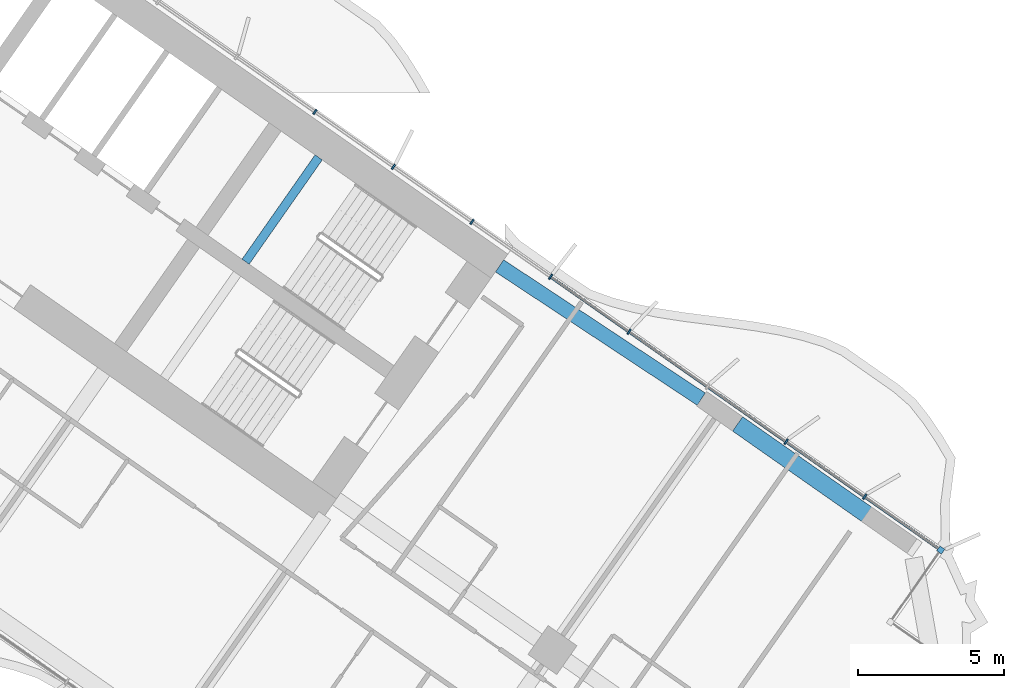
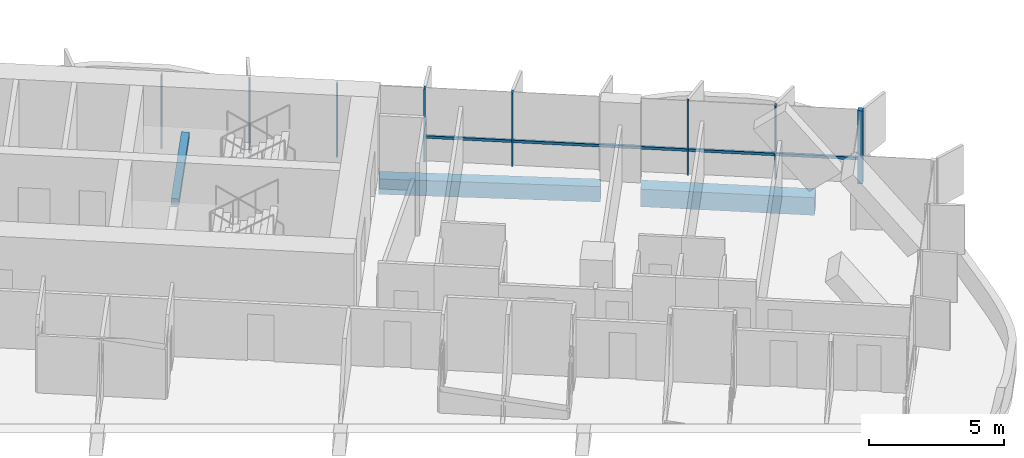
# One storey, part 10 of 24: 9 members, 3 beams, 2 elements without a shape of their own.
"""IFC4 building model written with IfcOpenShell, lengths in metres."""

from ifc_helpers import new_model, si_unit, direction, frame, origin, origin_2d, place, context, subcontext, project, spatial, rectangle, extrude, material, material_profile, profile_set, type_object, element, aggregate, save


model = new_model("IFC4")

# Units and contexts
model_context = context("Model", 3, precision=1e-05, world=origin(), true_north=direction((0.0, 1.0)))
body_context = subcontext(model_context, "Body", "Model", "MODEL_VIEW")
ifc_project = project(units=[si_unit("LENGTHUNIT", "METRE"), si_unit("AREAUNIT", "SQUARE_METRE"), si_unit("VOLUMEUNIT", "CUBIC_METRE"), si_unit("PLANEANGLEUNIT", "RADIAN"), si_unit("MASSUNIT", "GRAM", prefix="KILO")], contexts=[model_context])

# Site, building, storey
site_placement = place(None, origin())
site = spatial("IfcSite", under=ifc_project, at=site_placement, CompositionType="ELEMENT")
building_placement = place(site_placement, origin())
building = spatial("IfcBuilding", under=site, at=building_placement, Name="Tel Ilan Convention Tower", CompositionType="ELEMENT")
storey_placement = place(building_placement, frame((0.0, 0.0, 72.5)))
storey = spatial("IfcBuildingStorey", under=building, at=storey_placement, Name="L13", CompositionType="ELEMENT", Elevation=72.5)

# Beams
ifc_material_1 = material(Name="Concrete C40/50", Category="concrete")
ifc_material_profile_1 = material_profile(ifc_material_1, rectangle(XDim=0.5, YDim=0.699951171875, at=origin_2d()), Name="RC 500x700")
ifc_profile_set_1 = profile_set([ifc_material_profile_1], Name="Concrete C40/50")
beam_type_1 = type_object("IfcBeamType", Name="Beam RC 500x700 Concrete C40/50", PredefinedType="BEAM", material=ifc_profile_set_1)
beam_1_placement = place(storey_placement, frame((34.570556640625, -12.08447265625, -0.6298828125), z_axis=(-0.834273603487, 0.551350663847, 0.0), x_axis=(-0.551350663847, -0.834273603487, 0.0)))
element("IfcBeam", 1, at=beam_1_placement, inside=storey, type_object=beam_type_1, Name="L13 beam E-E-B4-core", PredefinedType="BEAM", context=body_context, shape_type="SweptSolid", body=[
    extrude(rectangle(XDim=0.5, YDim=0.699951171875, at=origin_2d()), origin(), (0.0, 0.0, 1.0), 8.2529296875),
])
ifc_material_2 = material(Name="Concrete C40/50", Category="concrete")
ifc_material_profile_2 = material_profile(ifc_material_2, rectangle(XDim=0.60009765625, YDim=0.800048828125, at=origin_2d()), Name="RC 600x800")
ifc_profile_set_2 = profile_set([ifc_material_profile_2], Name="Concrete C40/50")
beam_type_2 = type_object("IfcBeamType", Name="Beam RC 600x800 Concrete C40/50", PredefinedType="BEAM", material=ifc_profile_set_2)
beam_2_placement = place(storey_placement, frame((41.135498046875, -16.656494140625, -0.679931640625), z_axis=(-0.819178980414, 0.573537965655, 0.0), x_axis=(-0.573537965655, -0.819178980414, 0.0)))
element("IfcBeam", 2, at=beam_2_placement, inside=storey, type_object=beam_type_2, Name="L13 beam E-E-BC-E-B4", PredefinedType="BEAM", context=body_context, shape_type="SweptSolid", body=[
    extrude(rectangle(XDim=0.60009765625, YDim=0.800048828125, at=origin_2d()), origin(), (0.0, 0.0, 1.0), 6.5),
])

# Curtain wall, member
ifc_material_3 = material(Name="Aluminium, bronze anodised", Category="aluminium")
curtain_wall_type_1 = type_object("IfcCurtainWallType", Name="CW1 UNITISED CURTAIN WALL, HOTEL TINTED GLASS", PredefinedType="NOTDEFINED", material=ifc_material_3)
curtain_wall_1_placement = place(storey_placement, origin())
curtain_wall_1 = element("IfcCurtainWall", 3, at=curtain_wall_1_placement, inside=storey, type_object=curtain_wall_type_1, Name="Curtain wall CW1-13.02", PredefinedType="NOTDEFINED")
ifc_material_4 = material(Name="Aluminium, bronze anodised", Category="aluminium")
ifc_material_profile_3 = material_profile(ifc_material_4, rectangle(XDim=0.199951171875, YDim=0.199951171875, at=origin_2d()), Name="CW CORNER MULLION 200x200")
ifc_profile_set_3 = profile_set([ifc_material_profile_3], Name="Aluminium, bronze anodised")
member_type_1 = type_object("IfcMemberType", Name="CW CORNER MULLION 200x200", PredefinedType="MULLION", material=ifc_profile_set_3)
member_1_placement = place(storey_placement, frame((42.7451171875, -17.234375, 0.0), z_axis=(0.0, 0.0, 1.0), x_axis=(0.573576436351, 0.819152044289, 0.0)))
member_1 = element("IfcMember", 4, at=member_1_placement, type_object=member_type_1, Name="Corner mullion", PredefinedType="MULLION", context=body_context, shape_type="SweptSolid", body=[
    extrude(rectangle(XDim=0.199951171875, YDim=0.199951171875, at=origin_2d()), origin(), (0.0, 0.0, 1.0), 3.320068359375),
])

# Curtain wall, members
ifc_material_5 = material(Name="Aluminium, bronze anodised", Category="aluminium")
curtain_wall_type_2 = type_object("IfcCurtainWallType", Name="CW2 STICK CURTAIN WALL, SPANDREL PANELS", PredefinedType="NOTDEFINED", material=ifc_material_5)
curtain_wall_2_placement = place(storey_placement, origin())
curtain_wall_2 = element("IfcCurtainWall", 5, at=curtain_wall_2_placement, inside=storey, type_object=curtain_wall_type_2, Name="Curtain wall CW2-13.01", PredefinedType="NOTDEFINED")
ifc_material_6 = material(Name="Aluminium, bronze anodised", Category="aluminium")
ifc_material_profile_4 = material_profile(ifc_material_6, rectangle(XDim=0.06005859375, YDim=0.199951171875, at=origin_2d()), Name="CW MULLION 60x200")
ifc_profile_set_4 = profile_set([ifc_material_profile_4], Name="Aluminium, bronze anodised")
member_type_2 = type_object("IfcMemberType", Name="CW MULLION 60x200", PredefinedType="MULLION", material=ifc_profile_set_4)
member_2_placement = place(storey_placement, frame((29.42578125, -7.907958984375, 0.0), z_axis=(0.0, 0.0, 1.0), x_axis=(-0.819152044289, 0.573576436351, 0.0)))
member_2 = element("IfcMember", 6, at=member_2_placement, type_object=member_type_2, Name="Mullion", PredefinedType="MULLION", context=body_context, shape_type="SweptSolid", body=[
    extrude(rectangle(XDim=0.06005859375, YDim=0.199951171875, at=origin_2d()), origin(), (0.0, 0.0, 1.0), 3.320068359375),
])
member_3_placement = place(storey_placement, frame((26.745361328125, -6.03125, 0.0), z_axis=(0.0, 0.0, 1.0), x_axis=(-0.819152044289, 0.573576436351, 0.0)))
member_3 = element("IfcMember", 7, at=member_3_placement, type_object=member_type_2, Name="Mullion", PredefinedType="MULLION", context=body_context, shape_type="SweptSolid", body=[
    extrude(rectangle(XDim=0.06005859375, YDim=0.199951171875, at=origin_2d()), origin(), (0.0, 0.0, 1.0), 3.320068359375),
])
member_4_placement = place(storey_placement, frame((24.065185546875, -4.154541015625, 0.0), z_axis=(0.0, 0.0, 1.0), x_axis=(-0.819152044289, 0.573576436351, 0.0)))
member_4 = element("IfcMember", 8, at=member_4_placement, type_object=member_type_2, Name="Mullion", PredefinedType="MULLION", context=body_context, shape_type="SweptSolid", body=[
    extrude(rectangle(XDim=0.06005859375, YDim=0.199951171875, at=origin_2d()), origin(), (0.0, 0.0, 1.0), 3.320068359375),
])
member_5_placement = place(storey_placement, frame((21.384765625, -2.27783203125, 0.0), z_axis=(0.0, 0.0, 1.0), x_axis=(-0.819152044289, 0.573576436351, 0.0)))
member_5 = element("IfcMember", 9, at=member_5_placement, type_object=member_type_2, Name="Mullion", PredefinedType="MULLION", context=body_context, shape_type="SweptSolid", body=[
    extrude(rectangle(XDim=0.06005859375, YDim=0.199951171875, at=origin_2d()), origin(), (0.0, 0.0, 1.0), 3.320068359375),
])
aggregate(curtain_wall_2, [member_2, member_3, member_4, member_5])

# Member
member_6_placement = place(storey_placement, frame((40.146728515625, -15.4150390625, 0.0), z_axis=(0.0, 0.0, 1.0), x_axis=(-0.819152044289, 0.573576436351, 0.0)))
member_6 = element("IfcMember", 10, at=member_6_placement, type_object=member_type_2, Name="Mullion", PredefinedType="MULLION", context=body_context, shape_type="SweptSolid", body=[
    extrude(rectangle(XDim=0.06005859375, YDim=0.199951171875, at=origin_2d()), origin(), (0.0, 0.0, 1.0), 3.320068359375),
])

member_7_placement = place(storey_placement, frame((37.466552734375, -13.538330078125, 0.0), z_axis=(0.0, 0.0, 1.0), x_axis=(-0.819152044289, 0.573576436351, 0.0)))
member_7 = element("IfcMember", 11, at=member_7_placement, type_object=member_type_2, Name="Mullion", PredefinedType="MULLION", context=body_context, shape_type="SweptSolid", body=[
    extrude(rectangle(XDim=0.06005859375, YDim=0.199951171875, at=origin_2d()), origin(), (0.0, 0.0, 1.0), 3.320068359375),
])

member_8_placement = place(storey_placement, frame((32.10595703125, -9.78466796875, 0.0), z_axis=(0.0, 0.0, 1.0), x_axis=(-0.819152044289, 0.573576436351, 0.0)))
member_8 = element("IfcMember", 12, at=member_8_placement, type_object=member_type_2, Name="Mullion", PredefinedType="MULLION", context=body_context, shape_type="SweptSolid", body=[
    extrude(rectangle(XDim=0.06005859375, YDim=0.199951171875, at=origin_2d()), origin(), (0.0, 0.0, 1.0), 3.320068359375),
])

ifc_material_7 = material(Name="Aluminium, bronze anodised", Category="aluminium")
ifc_material_profile_5 = material_profile(ifc_material_7, rectangle(XDim=0.10009765625, YDim=0.1201171875, at=origin_2d()), Name="CW TRANSOM 100x120")
ifc_profile_set_5 = profile_set([ifc_material_profile_5], Name="Aluminium, bronze anodised")
member_type_3 = type_object("IfcMemberType", Name="CW TRANSOM 100x120", PredefinedType="USERDEFINED", material=ifc_profile_set_5)
member_9_placement = place(storey_placement, frame((42.6630859375, -17.177001953125, 1.10009765625), z_axis=(-0.819153693934, 0.573574080407, 0.0), x_axis=(-0.573574080407, -0.819153693934, 0.0)))
member_9 = element("IfcMember", 13, at=member_9_placement, type_object=member_type_3, Name="Transom", ObjectType="TRANSOM", PredefinedType="USERDEFINED", context=body_context, shape_type="SweptSolid", body=[
    extrude(rectangle(XDim=0.10009765625, YDim=0.1201171875, at=origin_2d()), origin(), (0.0, 0.0, 1.0), 16.1298828125),
])

aggregate(curtain_wall_1, [member_1, member_6, member_7, member_8, member_9])

# Beam
ifc_material_8 = material(Name="Concrete C40/50", Category="concrete")
ifc_material_profile_6 = material_profile(ifc_material_8, rectangle(XDim=0.300048828125, YDim=0.300048828125, at=origin_2d()), Name="RC 300x300")
ifc_profile_set_6 = profile_set([ifc_material_profile_6], Name="Concrete C40/50")
beam_type_3 = type_object("IfcBeamType", Name="Landing Beam RC 300x300 Concrete C40/50", PredefinedType="BEAM", material=ifc_profile_set_6)
beam_3_placement = place(storey_placement, frame((21.5087890625, -3.829345703125, 1.449951171875), z_axis=(-0.57356780395, -0.819158088694, 0.0), x_axis=(0.819158088694, -0.57356780395, 0.0)))
element("IfcBeam", 14, at=beam_3_placement, inside=storey, type_object=beam_type_3, Name="S3 landing beam L13.1", PredefinedType="BEAM", context=body_context, shape_type="SweptSolid", body=[
    extrude(rectangle(XDim=0.300048828125, YDim=0.300048828125, at=origin_2d()), origin(), (0.0, 0.0, 1.0), 4.35009765625),
])

save(model, "model.ifc")
